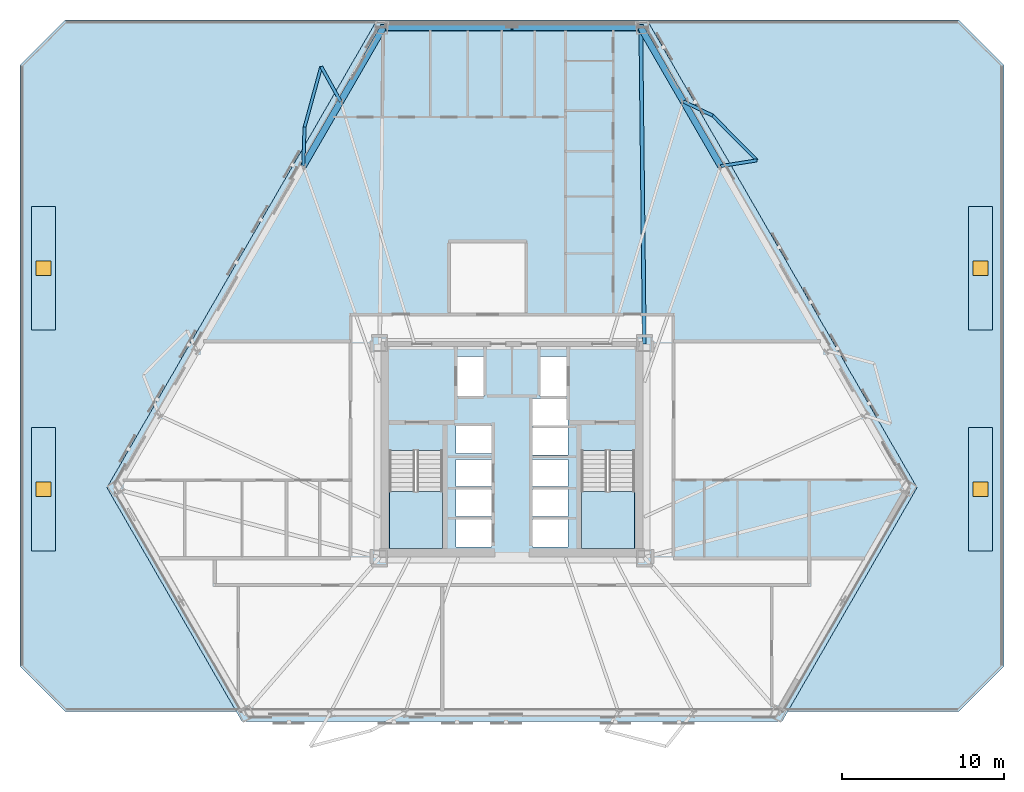
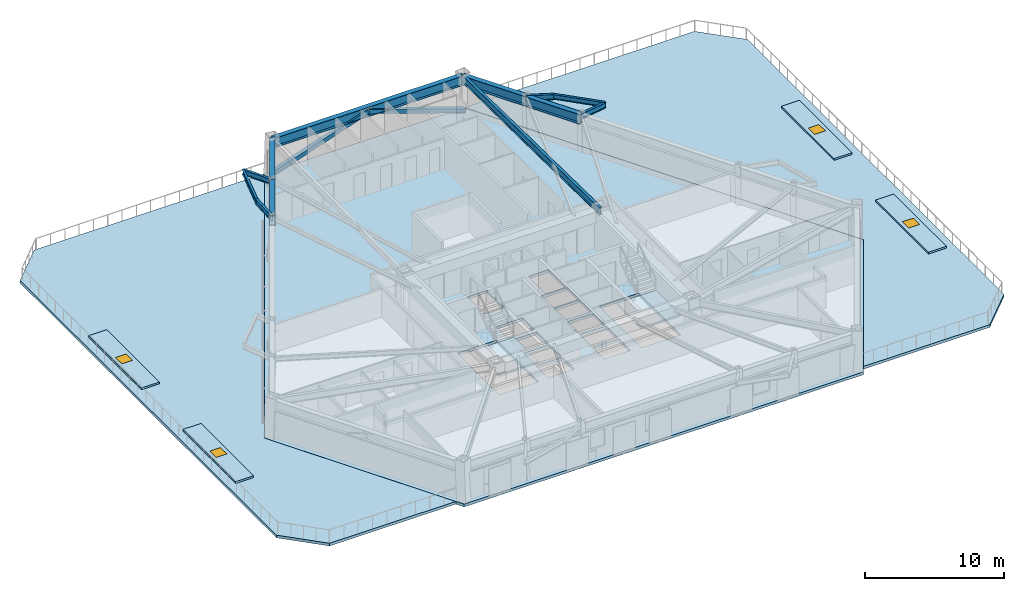
# One storey, part 2 of 14: 12 beams, 9 slabs, 4 windows, 2 members, 4 openings, 2 elements without a shape of their own.
"""IFC4 building model written with IfcOpenShell, lengths in metres."""

import ifcopenshell
import ifcopenshell.guid

model = None  # the IFC model being written
_history = None  # IfcOwnerHistory: only IFC2X3 demands one
_inside = {}  # id of a spatial element -> (the spatial element, [elements in it])
_under = {}  # id of a project, library or spatial element -> (it, [spatial elements below it])
_declared = {}  # id of a project -> (the project, [libraries it declares])
_typed = {}  # id of a type object -> (the type object, [elements of that type])
_made_of = {}  # id of a material, layer set ... -> (it, [elements and type objects made of it])


def new_model(schema):
    """Start an empty IFC model of exactly this schema.

    Asked for "IFC4X3", IfcOpenShell would pick the latest addendum, in which some entities
    have other attributes; the version numbers below select the first issue.
    IFC2X3 requires an IfcOwnerHistory on every rooted entity: one is made here for all.
    """
    global model, _history
    if schema == "IFC4X3":
        model = ifcopenshell.file(schema_version=(4, 3, 0, 0))
    else:
        model = ifcopenshell.file(schema=schema)
    _inside.clear()
    _under.clear()
    _declared.clear()
    _typed.clear()
    _made_of.clear()
    _history = None
    if model.schema == "IFC2X3":
        org = make("IfcOrganization", Name="unknown")
        user = make(
            "IfcPersonAndOrganization",
            ThePerson=make("IfcPerson", FamilyName="unknown"),
            TheOrganization=org,
        )
        app = make(
            "IfcApplication",
            ApplicationDeveloper=org,
            Version="unknown",
            ApplicationFullName="unknown",
            ApplicationIdentifier="unknown",
        )
        _history = make(
            "IfcOwnerHistory",
            OwningUser=user,
            OwningApplication=app,
            ChangeAction="ADDED",
            CreationDate=0,
        )
    return model


def make(cls, **values):
    """One entity of the class cls with the attributes given. An attribute that is None is left unset."""
    return model.create_entity(
        cls, **{name: value for name, value in values.items() if value is not None}
    )


def rooted(cls, **values):
    """An entity with a GlobalId (a new one), such as an element, a storey or a relation."""
    return make(cls, GlobalId=ifcopenshell.guid.new(), OwnerHistory=_history, **values)


def si_unit(unit_type, name, prefix=None):
    """IfcSIUnit, for example si_unit("LENGTHUNIT", "METRE", prefix="MILLI")."""
    return make("IfcSIUnit", UnitType=unit_type, Prefix=prefix, Name=name)


def assignment(units):
    """IfcUnitAssignment: the units of a project."""
    return None if units is None else make("IfcUnitAssignment", Units=units)


def point(xyz):
    """IfcCartesianPoint."""
    return None if xyz is None else make("IfcCartesianPoint", Coordinates=xyz)


def direction(xyz):
    """IfcDirection."""
    return None if xyz is None else make("IfcDirection", DirectionRatios=xyz)


def frame(location, z_axis=None, x_axis=None):
    """IfcAxis2Placement3D, a coordinate frame: its origin and axes. An axis left out is left unset."""
    return make(
        "IfcAxis2Placement3D",
        Location=point(location),
        Axis=direction(z_axis),
        RefDirection=direction(x_axis),
    )


def frame_2d(location, x_axis=None):
    """IfcAxis2Placement2D, a coordinate frame in the plane: its origin and x axis."""
    return make(
        "IfcAxis2Placement2D", Location=point(location), RefDirection=direction(x_axis)
    )


def origin():
    """The frame at (0, 0, 0) with its axes left unset."""
    return frame((0.0, 0.0, 0.0))


def origin_2d():
    """The frame at (0, 0) in the plane with its x axis left unset."""
    return frame_2d((0.0, 0.0))


def place(relative_to, where):
    """IfcLocalPlacement: puts the frame where relative to a parent placement (None: the world)."""
    return make(
        "IfcLocalPlacement", PlacementRelTo=relative_to, RelativePlacement=where
    )


def context(
    kind, dimensions, precision=None, world=None, true_north=None, identifier=None
):
    """IfcGeometricRepresentationContext, for example the 3D "Model" context."""
    return make(
        "IfcGeometricRepresentationContext",
        ContextIdentifier=identifier,
        ContextType=kind,
        CoordinateSpaceDimension=dimensions,
        Precision=precision,
        WorldCoordinateSystem=world,
        TrueNorth=true_north,
    )


def subcontext(parent, identifier, kind, view, scale=None):
    """IfcGeometricRepresentationSubContext, for example "Body" below "Model"."""
    return make(
        "IfcGeometricRepresentationSubContext",
        ContextIdentifier=identifier,
        ContextType=kind,
        ParentContext=parent,
        TargetScale=scale,
        TargetView=view,
    )


def project(units=None, contexts=None):
    """IfcProject with its units and contexts."""
    return rooted(
        "IfcProject",
        Name="project",
        RepresentationContexts=contexts,
        UnitsInContext=assignment(units),
    )


def spatial(cls, under=None, at=None, **own):
    """A site, building, storey or space (cls), placed at a placement, below another one or the project."""
    s = rooted(cls, ObjectPlacement=at, **own)
    if under is not None:
        _under.setdefault(under.id(), (under, []))[1].append(s)
    return s


def polyline(points):
    """IfcPolyline through the points."""
    return make("IfcPolyline", Points=[point(p) for p in points])


def profile(cls, at=None, kind="AREA", **sizes):
    """A parametric profile (cls). Its sizes go by their IFC names, for example OverallWidth=200.0."""
    return make(cls, ProfileType=kind, Position=at, **sizes)


def rectangle(**sizes):
    """IfcRectangleProfileDef."""
    return profile("IfcRectangleProfileDef", **sizes)


def hollow_rectangle(**sizes):
    """IfcRectangleHollowProfileDef."""
    return profile("IfcRectangleHollowProfileDef", **sizes)


def i_section(**sizes):
    """IfcIShapeProfileDef."""
    return profile("IfcIShapeProfileDef", **sizes)


def outline(outer, holes=None, kind="AREA"):
    """IfcArbitraryClosedProfileDef: a profile drawn as a closed curve; with holes, ...WithVoids."""
    if holes is None:
        return make("IfcArbitraryClosedProfileDef", ProfileType=kind, OuterCurve=outer)
    return make(
        "IfcArbitraryProfileDefWithVoids",
        ProfileType=kind,
        OuterCurve=outer,
        InnerCurves=holes,
    )


def extrude(swept, where, along, depth):
    """IfcExtrudedAreaSolid: the profile swept, set in the frame where, extruded along a direction by depth."""
    return make(
        "IfcExtrudedAreaSolid",
        SweptArea=swept,
        Position=where,
        ExtrudedDirection=direction(along),
        Depth=depth,
    )


def shape(context_of_items, identifier, shape_type, items):
    """IfcShapeRepresentation: the items that make up one representation, for example the "Body"."""
    return make(
        "IfcShapeRepresentation",
        ContextOfItems=context_of_items,
        RepresentationIdentifier=identifier,
        RepresentationType=shape_type,
        Items=items,
    )


def material(Name=None, Category=None):
    """IfcMaterial."""
    return make("IfcMaterial", Name=Name, Category=Category)


def layer(
    of_material, thickness, ventilated=None, Name=None, Category=None, Priority=None
):
    """IfcMaterialLayer: one layer of a wall or slab, of a material (None: an air gap)."""
    return make(
        "IfcMaterialLayer",
        Material=of_material,
        LayerThickness=thickness,
        IsVentilated=ventilated,
        Name=Name,
        Category=Category,
        Priority=Priority,
    )


def layer_set(layers, Name=None):
    """IfcMaterialLayerSet."""
    return make("IfcMaterialLayerSet", MaterialLayers=layers, LayerSetName=Name)


def material_profile(
    of_material, cross_section, Name=None, Category=None, Priority=None
):
    """IfcMaterialProfile: a cross section and its material."""
    return make(
        "IfcMaterialProfile",
        Name=Name,
        Material=of_material,
        Profile=cross_section,
        Priority=Priority,
        Category=Category,
    )


def profile_set(profiles, Name=None, composite=None):
    """IfcMaterialProfileSet."""
    return make(
        "IfcMaterialProfileSet",
        Name=Name,
        MaterialProfiles=profiles,
        CompositeProfile=composite,
    )


def made_of(thing, what):
    """Note that an element or type object is made of a material, layer set ...; save() writes the relation."""
    if what is not None:
        _made_of.setdefault(what.id(), (what, []))[1].append(thing)
    return thing


def type_object(cls, material=None, **own):
    """A type object (cls), such as IfcWallType, which elements share."""
    return made_of(rooted(cls, **own), material)


def element(
    cls,
    number,
    at=None,
    inside=None,
    cuts=None,
    type_object=None,
    material=None,
    context=None,
    identifier="Body",
    shape_type=None,
    held_by="IfcProductDefinitionShape",
    body=None,
    shapes=None,
    **own,
):
    """One element of the class cls, such as IfcWall. Its Tag is "e" and its number.

    at: its placement. inside: the storey or other place that contains it. cuts: it is an
    opening in that element (IfcRelVoidsElement). A single representation is given by context,
    identifier, shape_type and body (its items); several are given by shapes. held_by: the class
    of the entity that holds the representations. save() writes the other relations.
    """
    e = rooted(cls, Tag="e%d" % number, ObjectPlacement=at, **own)
    if body is not None:
        shapes = [shape(context, identifier, shape_type, body)]
    if shapes is not None:
        e.Representation = make(held_by, Representations=shapes)
    if inside is not None:
        _inside.setdefault(inside.id(), (inside, []))[1].append(e)
    if cuts is not None:
        rooted(
            "IfcRelVoidsElement", RelatingBuildingElement=cuts, RelatedOpeningElement=e
        )
    if type_object is not None:
        _typed.setdefault(type_object.id(), (type_object, []))[1].append(e)
    return made_of(e, material)


def fill(opening, filler):
    """IfcRelFillsElement: the door or window that sits in an opening."""
    return rooted(
        "IfcRelFillsElement",
        RelatingOpeningElement=opening,
        RelatedBuildingElement=filler,
    )


def aggregate(whole, parts):
    """IfcRelAggregates: a whole, such as a stair, and the parts it consists of."""
    return rooted("IfcRelAggregates", RelatingObject=whole, RelatedObjects=parts)


def save(model, path):
    """Write the relations noted so far, then the file.

    IfcRelAggregates (storeys below a building ...), IfcRelContainedInSpatialStructure (elements
    in a storey), IfcRelDefinesByType, IfcRelAssociatesMaterial and IfcRelDeclares: one each for
    every whole, place, type object, material and project.
    """
    for whole, parts in _under.values():
        aggregate(whole, parts)
    for where, things in _inside.values():
        rooted(
            "IfcRelContainedInSpatialStructure",
            RelatedElements=things,
            RelatingStructure=where,
        )
    for kind, things in _typed.values():
        rooted("IfcRelDefinesByType", RelatedObjects=things, RelatingType=kind)
    for what, things in _made_of.values():
        rooted("IfcRelAssociatesMaterial", RelatedObjects=things, RelatingMaterial=what)
    for by, libraries in _declared.values():
        rooted("IfcRelDeclares", RelatingContext=by, RelatedDefinitions=libraries)
    model.write(path)


model = new_model("IFC4")

# Units and contexts
model_context = context("Model", 3, precision=1e-05, world=origin(), true_north=direction((0.0, 1.0)))
body_context = subcontext(model_context, "Body", "Model", "MODEL_VIEW")
ifc_project = project(units=[si_unit("LENGTHUNIT", "METRE"), si_unit("AREAUNIT", "SQUARE_METRE"), si_unit("VOLUMEUNIT", "CUBIC_METRE"), si_unit("PLANEANGLEUNIT", "RADIAN"), si_unit("MASSUNIT", "GRAM", prefix="KILO")], contexts=[model_context])

# Site, building, storey
site_placement = place(None, origin())
site = spatial("IfcSite", under=ifc_project, at=site_placement, CompositionType="ELEMENT")
building_placement = place(site_placement, origin())
building = spatial("IfcBuilding", under=site, at=building_placement, Name="Oramaril Tower", CompositionType="ELEMENT")
storey_placement = place(building_placement, frame((0.0, 0.0, 27.300048828125)))
storey = spatial("IfcBuildingStorey", under=building, at=storey_placement, Name="L06", CompositionType="ELEMENT", Elevation=27.300048828125)

# Beams
ifc_material_1 = material(Name="Steel ASTM A572 Gr 50", Category="steel")
ifc_material_profile_1 = material_profile(ifc_material_1, i_section(OverallWidth=0.19091796875, OverallDepth=0.45703125, WebThickness=0.009033203125, FlangeThickness=0.014404296875, at=origin_2d()), Name="W18X50")
ifc_profile_set_1 = profile_set([ifc_material_profile_1], Name="Steel ASTM A572 Gr 50")
beam_type_1 = type_object("IfcBeamType", Name="BT-BB1", PredefinedType="BEAM", material=ifc_profile_set_1)
beam_1_placement = place(storey_placement, frame((50.355224609375, 35.1025390625, 3.13134765625), z_axis=(0.987685698667, 0.156451144606, 0.0), x_axis=(-0.156451144606, 0.987685698667, 0.0)))
element("IfcBeam", 1, at=beam_1_placement, inside=storey, type_object=beam_type_1, Name="L06 Balcony Column-Framed Cantilever 04.1", PredefinedType="BEAM", context=body_context, shape_type="SweptSolid", body=[
    extrude(i_section(OverallWidth=0.19091796875, OverallDepth=0.45703125, WebThickness=0.009033203125, FlangeThickness=0.014404296875, at=origin_2d()), origin(), (0.0, 0.0, 1.0), 2.258056640625),
])
beam_2_placement = place(storey_placement, frame((48.0576171875, 39.082275390625, 3.13134765625), z_axis=(0.900236147582, -0.435401973567, 0.0), x_axis=(0.435401973567, 0.900236147582, 0.0)))
element("IfcBeam", 2, at=beam_2_placement, inside=storey, type_object=beam_type_1, Name="L06 Balcony Column-Framed Cantilever 04.2", PredefinedType="BEAM", context=body_context, shape_type="SweptSolid", body=[
    extrude(i_section(OverallWidth=0.19091796875, OverallDepth=0.45703125, WebThickness=0.009033203125, FlangeThickness=0.014404296875, at=origin_2d()), origin(), (0.0, 0.0, 1.0), 2.00732421875),
])
beam_3_placement = place(storey_placement, frame((26.9423828125, 39.082275390625, 3.13134765625), z_axis=(-0.485448974993, 0.874265001403, 0.0), x_axis=(-0.874265001403, -0.485448974993, 0.0)))
element("IfcBeam", 3, at=beam_3_placement, inside=storey, type_object=beam_type_1, Name="L06 Balcony Column-Framed Cantilever 05.1", PredefinedType="BEAM", context=body_context, shape_type="SweptSolid", body=[
    extrude(i_section(OverallWidth=0.19091796875, OverallDepth=0.45703125, WebThickness=0.009033203125, FlangeThickness=0.014404296875, at=origin_2d()), origin(), (0.0, 0.0, 1.0), 2.458251953125),
])
beam_4_placement = place(storey_placement, frame((24.644775390625, 35.1025390625, 3.13134765625), z_axis=(0.033803001941, 0.999428515232, 0.0), x_axis=(-0.999428515232, 0.033803001941, 0.0)))
element("IfcBeam", 4, at=beam_4_placement, inside=storey, type_object=beam_type_1, Name="L06 Balcony Column-Framed Cantilever 05.2", PredefinedType="BEAM", context=body_context, shape_type="SweptSolid", body=[
    extrude(i_section(OverallWidth=0.19091796875, OverallDepth=0.45703125, WebThickness=0.009033203125, FlangeThickness=0.014404296875, at=origin_2d()), origin(), (0.0, 0.0, 1.0), 2.39794921875),
])
ifc_material_2 = material(Name="Steel ASTM A572 Gr 50", Category="steel")
ifc_material_profile_2 = material_profile(ifc_material_2, i_section(OverallWidth=0.22900390625, OverallDepth=0.612060546875, WebThickness=0.011962890625, FlangeThickness=0.01953125, at=origin_2d()), Name="W24X84")
ifc_profile_set_2 = profile_set([ifc_material_profile_2], Name="Steel ASTM A572 Gr 50")
beam_type_2 = type_object("IfcBeamType", Name="BT-FB1", PredefinedType="BEAM", material=ifc_profile_set_2)
beam_5_placement = place(storey_placement, frame((45.64990234375, 24.14990234375, 3.053955078125), z_axis=(-0.011203287176, 0.999937241209, 0.0), x_axis=(-0.999937241209, -0.011203287176, 0.0)))
element("IfcBeam", 5, at=beam_5_placement, inside=storey, type_object=beam_type_2, Name="L06 Radial Primary Beam RB-05", PredefinedType="BEAM", context=body_context, shape_type="SweptSolid", body=[
    extrude(i_section(OverallWidth=0.22900390625, OverallDepth=0.612060546875, WebThickness=0.011962890625, FlangeThickness=0.01953125, at=origin_2d()), origin(), (0.0, 0.0, 1.0), 19.48193359375),
])
ifc_material_3 = material(Name="Steel ASTM A572 Gr 50", Category="steel")
ifc_material_profile_3 = material_profile(ifc_material_3, i_section(OverallWidth=0.177978515625, OverallDepth=0.404052734375, WebThickness=0.007568359375, FlangeThickness=0.010986328125, at=origin_2d()), Name="W16X36")
ifc_profile_set_3 = profile_set([ifc_material_profile_3], Name="Steel ASTM A572 Gr 50")
beam_type_3 = type_object("IfcBeamType", Name="BT-SB1", PredefinedType="BEAM", material=ifc_profile_set_3)
for number, where, z_axis, x_axis, name in (
    (6, (52.58544921875, 35.455810546875, 3.157958984375), (-0.702994511648, 0.71119527318, 0.0), (-0.71119527318, -0.702994511648, 0.0), "L06 Balcony Edge Tie Beam 04"),
    (7, (25.7490234375, 41.2314453125, 3.157958984375), (-0.264382243015, -0.964417974521, 0.0), (0.964417974521, -0.264382243015, 0.0), "L06 Balcony Edge Tie Beam 05"),
):
    element("IfcBeam", number, at=place(storey_placement, frame(where, z_axis=z_axis, x_axis=x_axis)), inside=storey, type_object=beam_type_3, Name=name, PredefinedType="BEAM", context=body_context, shape_type="SweptSolid", body=[
        extrude(i_section(OverallWidth=0.177978515625, OverallDepth=0.404052734375, WebThickness=0.007568359375, FlangeThickness=0.010986328125, at=origin_2d()), origin(), (0.0, 0.0, 1.0), 3.8701171875),
    ])
ifc_material_4 = material(Name="Steel ASTM A572 Gr 50", Category="steel")
ifc_material_profile_4 = material_profile(ifc_material_4, i_section(OverallWidth=0.40087890625, OverallDepth=0.85595703125, WebThickness=0.018310546875, FlangeThickness=0.029296875, at=origin_2d()), Name="W33X201")
ifc_profile_set_4 = profile_set([ifc_material_profile_4], Name="Steel ASTM A572 Gr 50")
beam_type_4 = type_object("IfcBeamType", Name="BT-SP1", PredefinedType="SPANDREL", material=ifc_profile_set_4)
beam_6_placement = place(storey_placement, frame((50.355224609375, 35.1025390625, 2.931884765625), z_axis=(-0.499984590049, 0.866034300541, 0.0), x_axis=(-0.866034300541, -0.499984590049, 0.0)))
element("IfcBeam", 8, at=beam_6_placement, inside=storey, type_object=beam_type_4, Name="L06 Perimeter Spandrel 11", PredefinedType="SPANDREL", context=body_context, shape_type="SweptSolid", body=[
    extrude(i_section(OverallWidth=0.40087890625, OverallDepth=0.85595703125, WebThickness=0.018310546875, FlangeThickness=0.029296875, at=origin_2d()), origin(), (0.0, 0.0, 1.0), 4.595458984375),
])
beam_7_placement = place(storey_placement, frame((48.0576171875, 39.082275390625, 2.931884765625), z_axis=(-0.499998761798, 0.866026118659, 0.0), x_axis=(-0.866026118659, -0.499998761798, 0.0)))
element("IfcBeam", 9, at=beam_7_placement, inside=storey, type_object=beam_type_4, Name="L06 Perimeter Spandrel 12", PredefinedType="SPANDREL", context=body_context, shape_type="SweptSolid", body=[
    extrude(i_section(OverallWidth=0.40087890625, OverallDepth=0.85595703125, WebThickness=0.018310546875, FlangeThickness=0.029296875, at=origin_2d()), origin(), (0.0, 0.0, 1.0), 5.251953125),
])
beam_8_placement = place(storey_placement, frame((45.431640625, 43.630615234375, 2.931884765625), z_axis=(-1.0, 0.0, 0.0), x_axis=(0.0, -1.0, 0.0)))
element("IfcBeam", 10, at=beam_8_placement, inside=storey, type_object=beam_type_4, Name="L06 Perimeter Spandrel 13", PredefinedType="SPANDREL", context=body_context, shape_type="SweptSolid", body=[
    extrude(i_section(OverallWidth=0.40087890625, OverallDepth=0.85595703125, WebThickness=0.018310546875, FlangeThickness=0.029296875, at=origin_2d()), origin(), (0.0, 0.0, 1.0), 15.86328125),
])
beam_9_placement = place(storey_placement, frame((29.568359375, 43.630615234375, 2.931884765625), z_axis=(-0.499998761798, -0.866026118659, 0.0), x_axis=(0.866026118659, -0.499998761798, 0.0)))
element("IfcBeam", 11, at=beam_9_placement, inside=storey, type_object=beam_type_4, Name="L06 Perimeter Spandrel 14", PredefinedType="SPANDREL", context=body_context, shape_type="SweptSolid", body=[
    extrude(i_section(OverallWidth=0.40087890625, OverallDepth=0.85595703125, WebThickness=0.018310546875, FlangeThickness=0.029296875, at=origin_2d()), origin(), (0.0, 0.0, 1.0), 5.251953125),
])
beam_10_placement = place(storey_placement, frame((26.9423828125, 39.082275390625, 2.931884765625), z_axis=(-0.499984590049, -0.866034300541, 0.0), x_axis=(0.866034300541, -0.499984590049, 0.0)))
element("IfcBeam", 12, at=beam_10_placement, inside=storey, type_object=beam_type_4, Name="L06 Perimeter Spandrel 15", PredefinedType="SPANDREL", context=body_context, shape_type="SweptSolid", body=[
    extrude(i_section(OverallWidth=0.40087890625, OverallDepth=0.85595703125, WebThickness=0.018310546875, FlangeThickness=0.029296875, at=origin_2d()), origin(), (0.0, 0.0, 1.0), 4.595458984375),
])

# Members
ifc_material_5 = material(Name="Steel ASTM A572 Gr 50", Category="steel")
ifc_material_profile_5 = material_profile(ifc_material_5, hollow_rectangle(XDim=0.35009765625, YDim=0.35009765625, WallThickness=0.01611328125, at=origin_2d()), Name="HSS350X350X16")
ifc_profile_set_5 = profile_set([ifc_material_profile_5], Name="Steel ASTM A572 Gr 50")
member_type = type_object("IfcMemberType", Name="MT-KB1", PredefinedType="BRACE", material=ifc_profile_set_5)
for number, where, z_axis, x_axis, name in (
    (13, (45.548095703125, 43.639892578125, 0.179931640625), (-0.946212323765, 0.0, 0.323546346534), (0.0, -1.0, 0.0), "L06 Perimeter Chevron Brace KB-3A"),
    (14, (29.451904296875, 43.639892578125, 0.179931640625), (0.946212323765, 0.0, 0.323546346534), (0.0, 1.0, 0.0), "L06 Perimeter Chevron Brace KB-3B"),
):
    element("IfcMember", number, at=place(storey_placement, frame(where, z_axis=z_axis, x_axis=x_axis)), inside=storey, type_object=member_type, Name=name, PredefinedType="BRACE", context=body_context, shape_type="SweptSolid", body=[
        extrude(hollow_rectangle(XDim=0.35009765625, YDim=0.35009765625, WallThickness=0.01611328125, at=origin_2d()), origin(), (0.0, 0.0, 1.0), 8.505615234375),
    ])

# Slab, opening, window
ifc_material_6 = material(Name="Concrete C40/50", Category="concrete")
ifc_layer_1 = layer(ifc_material_6, 0.159912109375)
ifc_layer_set_1 = layer_set([ifc_layer_1], Name="SLT-CAN16")
slab_type_1 = type_object("IfcSlabType", Name="SLT-CAN16", PredefinedType="ROOF", material=ifc_layer_set_1)
slab_1_placement = place(storey_placement, origin())
slab_1 = element("IfcSlab", 15, at=slab_1_placement, inside=storey, type_object=slab_type_1, Name="L06 Terrace Portico Canopy Roof CAN-W1", PredefinedType="ROOF", context=body_context, shape_type="SweptSolid", body=[
    extrude(outline(polyline([(7.89990234375, 11.39990234375), (9.39990234375, 11.39990234375), (9.39990234375, 19.0), (7.89990234375, 19.0), (7.89990234375, 11.39990234375)])), origin(), (0.0, 0.0, 1.0), 0.159912109375),
])
opening_1_placement = place(slab_1_placement, frame((8.64990234375, 15.199951171875, 0.0)))
opening_1 = element("IfcOpeningElement", 16, at=opening_1_placement, cuts=slab_1, Name="Opening WH-01", PredefinedType="OPENING", context=body_context, shape_type="SweptSolid", body=[
    extrude(rectangle(XDim=0.89990234375, YDim=0.89990234375, at=origin_2d()), origin(), (0.0, 0.0, 1.0), 0.159912109375),
])
ifc_material_7 = material(Name="Coastal Low-E Insulated Glass", Category="glass")
window_type = type_object("IfcWindowType", Name="WNT-HT1", PartitioningType="SINGLE_PANEL", PredefinedType="SKYLIGHT", material=ifc_material_7)
window_1_placement = place(opening_1_placement, frame((0.0, 0.0, 0.10986328125)))
window_1 = element("IfcWindow", 17, at=window_1_placement, inside=storey, type_object=window_type, Name="L06 Glazed Roof Access Skylight Hatch", OverallHeight=0.89990234375, OverallWidth=0.89990234375, PartitioningType="SINGLE_PANEL", PredefinedType="SKYLIGHT", context=body_context, shape_type="SweptSolid", body=[
    extrude(rectangle(XDim=0.89990234375, YDim=0.89990234375, at=origin_2d()), origin(), (0.0, 0.0, 1.0), 0.050048828125),
])
fill(opening_1, window_1)

slab_2_placement = place(storey_placement, origin())
slab_2 = element("IfcSlab", 18, at=slab_2_placement, inside=storey, type_object=slab_type_1, Name="L06 Terrace Portico Canopy Roof CAN-W2", PredefinedType="ROOF", context=body_context, shape_type="SweptSolid", body=[
    extrude(outline(polyline([(7.89990234375, 25.0), (9.39990234375, 25.0), (9.39990234375, 32.60009765625), (7.89990234375, 32.60009765625), (7.89990234375, 25.0)])), origin(), (0.0, 0.0, 1.0), 0.159912109375),
])
opening_2_placement = place(slab_2_placement, frame((8.64990234375, 28.800048828125, 0.0)))
opening_2 = element("IfcOpeningElement", 19, at=opening_2_placement, cuts=slab_2, Name="Opening WH-01", PredefinedType="OPENING", context=body_context, shape_type="SweptSolid", body=[
    extrude(rectangle(XDim=0.89990234375, YDim=0.89990234375, at=origin_2d()), origin(), (0.0, 0.0, 1.0), 0.159912109375),
])
window_2_placement = place(opening_2_placement, frame((0.0, 0.0, 0.10986328125)))
window_2 = element("IfcWindow", 20, at=window_2_placement, inside=storey, type_object=window_type, Name="L06 Glazed Roof Access Skylight Hatch", OverallHeight=0.89990234375, OverallWidth=0.89990234375, PartitioningType="SINGLE_PANEL", PredefinedType="SKYLIGHT", context=body_context, shape_type="SweptSolid", body=[
    extrude(rectangle(XDim=0.89990234375, YDim=0.89990234375, at=origin_2d()), origin(), (0.0, 0.0, 1.0), 0.050048828125),
])
fill(opening_2, window_2)

slab_3_placement = place(storey_placement, origin())
slab_3 = element("IfcSlab", 21, at=slab_3_placement, inside=storey, type_object=slab_type_1, Name="L06 Terrace Portico Canopy Roof CAN-E1", PredefinedType="ROOF", context=body_context, shape_type="SweptSolid", body=[
    extrude(outline(polyline([(65.60009765625, 11.39990234375), (67.10009765625, 11.39990234375), (67.10009765625, 19.0), (65.60009765625, 19.0), (65.60009765625, 11.39990234375)])), origin(), (0.0, 0.0, 1.0), 0.159912109375),
])
opening_3_placement = place(slab_3_placement, frame((66.35009765625, 15.199951171875, 0.0)))
opening_3 = element("IfcOpeningElement", 22, at=opening_3_placement, cuts=slab_3, Name="Opening WH-01", PredefinedType="OPENING", context=body_context, shape_type="SweptSolid", body=[
    extrude(rectangle(XDim=0.89990234375, YDim=0.89990234375, at=origin_2d()), origin(), (0.0, 0.0, 1.0), 0.159912109375),
])
window_3_placement = place(opening_3_placement, frame((0.0, 0.0, 0.10986328125)))
window_3 = element("IfcWindow", 23, at=window_3_placement, inside=storey, type_object=window_type, Name="L06 Glazed Roof Access Skylight Hatch", OverallHeight=0.89990234375, OverallWidth=0.89990234375, PartitioningType="SINGLE_PANEL", PredefinedType="SKYLIGHT", context=body_context, shape_type="SweptSolid", body=[
    extrude(rectangle(XDim=0.89990234375, YDim=0.89990234375, at=origin_2d()), origin(), (0.0, 0.0, 1.0), 0.050048828125),
])
fill(opening_3, window_3)

slab_4_placement = place(storey_placement, origin())
slab_4 = element("IfcSlab", 24, at=slab_4_placement, inside=storey, type_object=slab_type_1, Name="L06 Terrace Portico Canopy Roof CAN-E2", PredefinedType="ROOF", context=body_context, shape_type="SweptSolid", body=[
    extrude(outline(polyline([(65.60009765625, 25.0), (67.10009765625, 25.0), (67.10009765625, 32.60009765625), (65.60009765625, 32.60009765625), (65.60009765625, 25.0)])), origin(), (0.0, 0.0, 1.0), 0.159912109375),
])
opening_4_placement = place(slab_4_placement, frame((66.35009765625, 28.800048828125, 0.0)))
opening_4 = element("IfcOpeningElement", 25, at=opening_4_placement, cuts=slab_4, Name="Opening WH-01", PredefinedType="OPENING", context=body_context, shape_type="SweptSolid", body=[
    extrude(rectangle(XDim=0.89990234375, YDim=0.89990234375, at=origin_2d()), origin(), (0.0, 0.0, 1.0), 0.159912109375),
])
window_4_placement = place(opening_4_placement, frame((0.0, 0.0, 0.10986328125)))
window_4 = element("IfcWindow", 26, at=window_4_placement, inside=storey, type_object=window_type, Name="L06 Glazed Roof Access Skylight Hatch", OverallHeight=0.89990234375, OverallWidth=0.89990234375, PartitioningType="SINGLE_PANEL", PredefinedType="SKYLIGHT", context=body_context, shape_type="SweptSolid", body=[
    extrude(rectangle(XDim=0.89990234375, YDim=0.89990234375, at=origin_2d()), origin(), (0.0, 0.0, 1.0), 0.050048828125),
])
fill(opening_4, window_4)

# Slab
ifc_material_8 = material(Name="Concrete C50/60", Category="concrete")
ifc_layer_2 = layer(ifc_material_8, 0.239990234375)
ifc_layer_set_2 = layer_set([ifc_layer_2], Name="SLT-FLR24")
slab_type_2 = type_object("IfcSlabType", Name="SLT-FLR24", PredefinedType="FLOOR", material=ifc_layer_set_2)
slab_5_placement = place(storey_placement, frame((0.0, 0.0, -0.239990234375)))
element("IfcSlab", 27, at=slab_5_placement, inside=storey, type_object=slab_type_2, Name="L06 Structural Floor Slab", PredefinedType="FLOOR", context=body_context, shape_type="SweptSolid", body=[
    extrude(outline(polyline([(12.55859375, 15.300048828125), (20.872314453125, 0.89990234375), (54.127685546875, 0.89990234375), (62.44140625, 15.300048828125), (45.813720703125, 44.10009765625), (29.186279296875, 44.10009765625), (12.55859375, 15.300048828125)]), holes=[polyline([(29.949951171875, 17.58935546875), (29.949951171875, 11.550048828125), (33.219970703125, 11.550048828125), (33.219970703125, 17.58935546875), (29.949951171875, 17.58935546875)]), polyline([(41.780029296875, 17.58935546875), (41.780029296875, 11.550048828125), (45.050048828125, 11.550048828125), (45.050048828125, 17.58935546875), (41.780029296875, 17.58935546875)]), polyline([(34.110107421875, 20.909912109375), (35.7900390625, 20.909912109375), (35.7900390625, 23.389892578125), (34.110107421875, 23.389892578125), (34.110107421875, 20.909912109375)]), polyline([(39.2099609375, 20.909912109375), (40.889892578125, 20.909912109375), (40.889892578125, 23.389892578125), (39.2099609375, 23.389892578125), (39.2099609375, 20.909912109375)]), polyline([(34.06005859375, 11.659912109375), (36.239990234375, 11.659912109375), (36.239990234375, 13.340087890625), (34.06005859375, 13.340087890625), (34.06005859375, 11.659912109375)]), polyline([(34.06005859375, 13.510009765625), (36.239990234375, 13.510009765625), (36.239990234375, 15.18994140625), (34.06005859375, 15.18994140625), (34.06005859375, 13.510009765625)]), polyline([(34.06005859375, 15.360107421875), (36.239990234375, 15.360107421875), (36.239990234375, 17.0400390625), (34.06005859375, 17.0400390625), (34.06005859375, 15.360107421875)]), polyline([(38.760009765625, 11.659912109375), (40.93994140625, 11.659912109375), (40.93994140625, 13.340087890625), (38.760009765625, 13.340087890625), (38.760009765625, 11.659912109375)]), polyline([(38.760009765625, 13.510009765625), (40.93994140625, 13.510009765625), (40.93994140625, 15.18994140625), (38.760009765625, 15.18994140625), (38.760009765625, 13.510009765625)]), polyline([(38.760009765625, 15.360107421875), (40.93994140625, 15.360107421875), (40.93994140625, 17.0400390625), (38.760009765625, 17.0400390625), (38.760009765625, 15.360107421875)]), polyline([(34.06005859375, 17.409912109375), (36.239990234375, 17.409912109375), (36.239990234375, 19.090087890625), (34.06005859375, 19.090087890625), (34.06005859375, 17.409912109375)]), polyline([(38.760009765625, 17.31005859375), (40.93994140625, 17.31005859375), (40.93994140625, 18.989990234375), (38.760009765625, 18.989990234375), (38.760009765625, 17.31005859375)]), polyline([(38.760009765625, 19.110107421875), (40.93994140625, 19.110107421875), (40.93994140625, 20.7900390625), (38.760009765625, 20.7900390625), (38.760009765625, 19.110107421875)])]), origin(), (0.0, 0.0, 1.0), 0.239990234375),
])

# Stair, slab
ifc_material_9 = material(Name="Concrete C50/60", Category="concrete")
stair_type = type_object("IfcStairType", Name="STT-DG-3600", PredefinedType="HALF_TURN_STAIR", material=ifc_material_9)
stair_1_placement = place(storey_placement, origin())
stair_1 = element("IfcStair", 28, at=stair_1_placement, inside=storey, type_object=stair_type, Name="L06 Protected PFP Exit Stair ST-1", PredefinedType="HALF_TURN_STAIR")
ifc_material_10 = material(Name="Concrete C50/60", Category="concrete")
ifc_layer_3 = layer(ifc_material_10, 0.199951171875)
ifc_layer_set_3 = layer_set([ifc_layer_3], Name="SLT-LND20")
slab_type_3 = type_object("IfcSlabType", Name="SLT-LND20", PredefinedType="LANDING", material=ifc_layer_set_3)
slab_6_placement = place(storey_placement, frame((0.0, 0.0, 1.599853515625)))
slab_6 = element("IfcSlab", 29, at=slab_6_placement, type_object=slab_type_3, Name="ST-1 landing 1", PredefinedType="LANDING", context=body_context, shape_type="SweptSolid", body=[
    extrude(outline(polyline([(29.949951171875, 15.070068359375), (29.949951171875, 11.550048828125), (33.219970703125, 11.550048828125), (33.219970703125, 15.070068359375), (29.949951171875, 15.070068359375)])), origin(), (0.0, 0.0, 1.0), 0.2001953125),
])
aggregate(stair_1, [slab_6])

stair_2_placement = place(storey_placement, origin())
stair_2 = element("IfcStair", 30, at=stair_2_placement, inside=storey, type_object=stair_type, Name="L06 Protected PFP Exit Stair ST-2", PredefinedType="HALF_TURN_STAIR")
slab_7_placement = place(storey_placement, frame((0.0, 0.0, 1.599853515625)))
slab_7 = element("IfcSlab", 31, at=slab_7_placement, type_object=slab_type_3, Name="ST-2 landing 1", PredefinedType="LANDING", context=body_context, shape_type="SweptSolid", body=[
    extrude(outline(polyline([(41.780029296875, 15.070068359375), (41.780029296875, 11.550048828125), (45.050048828125, 11.550048828125), (45.050048828125, 15.070068359375), (41.780029296875, 15.070068359375)])), origin(), (0.0, 0.0, 1.0), 0.2001953125),
])
aggregate(stair_2, [slab_7])

# Slabs
ifc_material_11 = material(Name="Concrete C40/50", Category="concrete")
ifc_layer_4 = layer(ifc_material_11, 0.2099609375)
ifc_layer_set_4 = layer_set([ifc_layer_4], Name="SLT-TER21")
slab_type_4 = type_object("IfcSlabType", Name="SLT-TER21", PredefinedType="FLOOR", material=ifc_layer_set_4)
slab_8_placement = place(storey_placement, frame((0.0, 0.0, -0.239990234375)))
element("IfcSlab", 32, at=slab_8_placement, inside=storey, type_object=slab_type_4, Name="L06 Landscaped Podium Roof Terrace Deck 1", PredefinedType="FLOOR", context=body_context, shape_type="SweptSolid", body=[
    extrude(outline(polyline([(67.800048828125, 41.300048828125), (67.800048828125, 4.300048828125), (65.0, 1.5), (54.47998046875, 1.5), (62.447265625, 15.300048828125), (45.819580078125, 44.10009765625), (65.0, 44.10009765625), (67.800048828125, 41.300048828125)]), holes=[polyline([(65.8798828125, 14.72998046875), (66.820068359375, 14.72998046875), (66.820068359375, 15.669921875), (65.8798828125, 15.669921875), (65.8798828125, 14.72998046875)]), polyline([(65.8798828125, 28.330078125), (66.820068359375, 28.330078125), (66.820068359375, 29.27001953125), (65.8798828125, 29.27001953125), (65.8798828125, 28.330078125)])]), origin(), (0.0, 0.0, 1.0), 0.239990234375),
])
slab_9_placement = place(storey_placement, frame((0.0, 0.0, -0.239990234375)))
element("IfcSlab", 33, at=slab_9_placement, inside=storey, type_object=slab_type_4, Name="L06 Landscaped Podium Roof Terrace Deck 2", PredefinedType="FLOOR", context=body_context, shape_type="SweptSolid", body=[
    extrude(outline(polyline([(7.199951171875, 4.300048828125), (7.199951171875, 41.300048828125), (10.0, 44.10009765625), (29.180419921875, 44.10009765625), (12.552734375, 15.300048828125), (20.52001953125, 1.5), (10.0, 1.5), (7.199951171875, 4.300048828125)]), holes=[polyline([(8.179931640625, 14.72998046875), (9.1201171875, 14.72998046875), (9.1201171875, 15.669921875), (8.179931640625, 15.669921875), (8.179931640625, 14.72998046875)]), polyline([(8.179931640625, 28.330078125), (9.1201171875, 28.330078125), (9.1201171875, 29.27001953125), (8.179931640625, 29.27001953125), (8.179931640625, 28.330078125)])]), origin(), (0.0, 0.0, 1.0), 0.239990234375),
])

save(model, "model.ifc")
